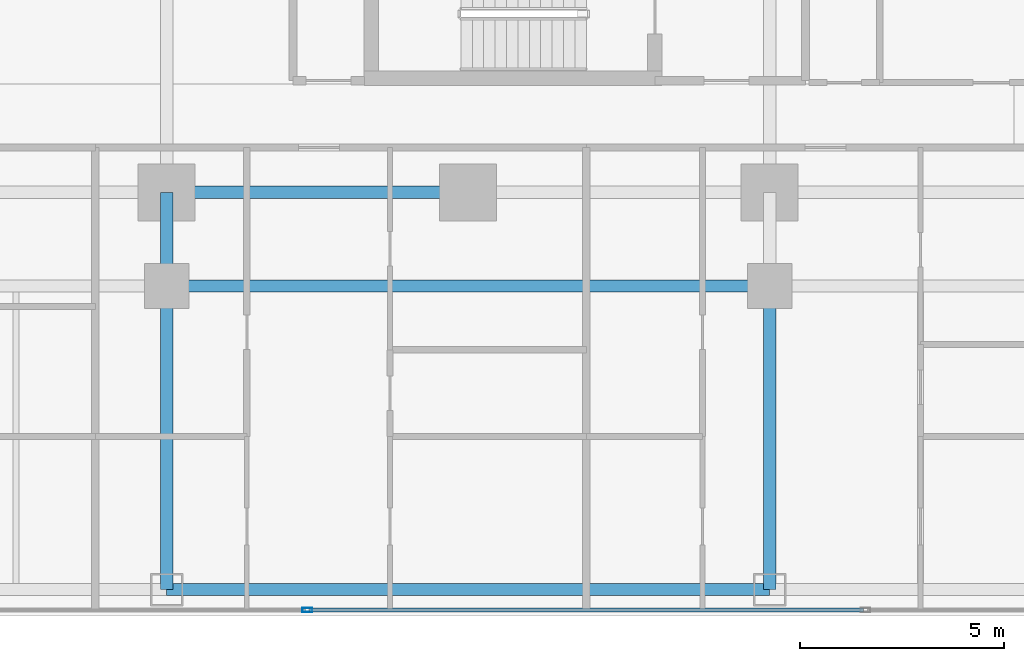
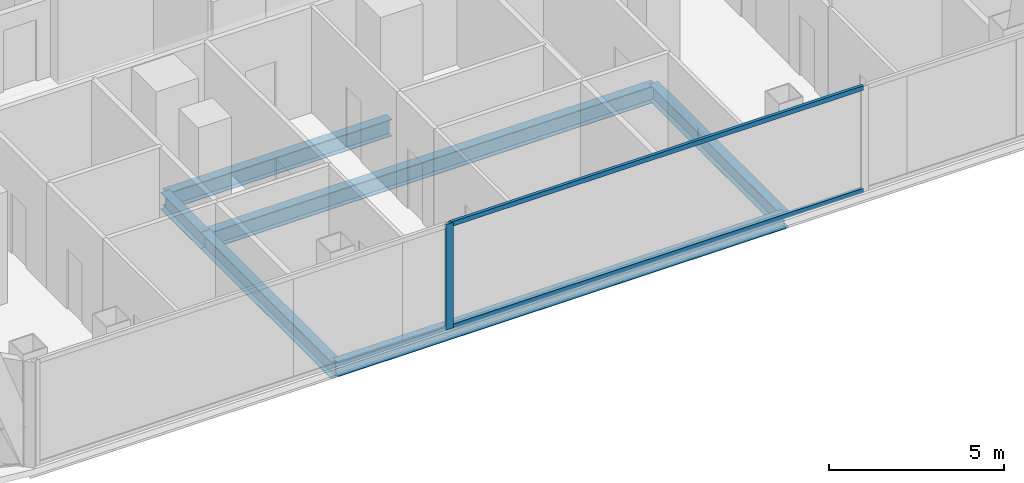
# One storey, part 5 of 33: 6 beams, 3 members, 1 element without a shape of its own.
"""IFC4 building model written with IfcOpenShell, lengths in metres."""

import ifcopenshell
import ifcopenshell.guid

model = None  # the IFC model being written
_history = None  # IfcOwnerHistory: only IFC2X3 demands one
_inside = {}  # id of a spatial element -> (the spatial element, [elements in it])
_under = {}  # id of a project, library or spatial element -> (it, [spatial elements below it])
_declared = {}  # id of a project -> (the project, [libraries it declares])
_typed = {}  # id of a type object -> (the type object, [elements of that type])
_made_of = {}  # id of a material, layer set ... -> (it, [elements and type objects made of it])


def new_model(schema):
    """Start an empty IFC model of exactly this schema.

    Asked for "IFC4X3", IfcOpenShell would pick the latest addendum, in which some entities
    have other attributes; the version numbers below select the first issue.
    IFC2X3 requires an IfcOwnerHistory on every rooted entity: one is made here for all.
    """
    global model, _history
    if schema == "IFC4X3":
        model = ifcopenshell.file(schema_version=(4, 3, 0, 0))
    else:
        model = ifcopenshell.file(schema=schema)
    _inside.clear()
    _under.clear()
    _declared.clear()
    _typed.clear()
    _made_of.clear()
    _history = None
    if model.schema == "IFC2X3":
        org = make("IfcOrganization", Name="unknown")
        user = make(
            "IfcPersonAndOrganization",
            ThePerson=make("IfcPerson", FamilyName="unknown"),
            TheOrganization=org,
        )
        app = make(
            "IfcApplication",
            ApplicationDeveloper=org,
            Version="unknown",
            ApplicationFullName="unknown",
            ApplicationIdentifier="unknown",
        )
        _history = make(
            "IfcOwnerHistory",
            OwningUser=user,
            OwningApplication=app,
            ChangeAction="ADDED",
            CreationDate=0,
        )
    return model


def make(cls, **values):
    """One entity of the class cls with the attributes given. An attribute that is None is left unset."""
    return model.create_entity(
        cls, **{name: value for name, value in values.items() if value is not None}
    )


def rooted(cls, **values):
    """An entity with a GlobalId (a new one), such as an element, a storey or a relation."""
    return make(cls, GlobalId=ifcopenshell.guid.new(), OwnerHistory=_history, **values)


def si_unit(unit_type, name, prefix=None):
    """IfcSIUnit, for example si_unit("LENGTHUNIT", "METRE", prefix="MILLI")."""
    return make("IfcSIUnit", UnitType=unit_type, Prefix=prefix, Name=name)


def assignment(units):
    """IfcUnitAssignment: the units of a project."""
    return None if units is None else make("IfcUnitAssignment", Units=units)


def point(xyz):
    """IfcCartesianPoint."""
    return None if xyz is None else make("IfcCartesianPoint", Coordinates=xyz)


def direction(xyz):
    """IfcDirection."""
    return None if xyz is None else make("IfcDirection", DirectionRatios=xyz)


def frame(location, z_axis=None, x_axis=None):
    """IfcAxis2Placement3D, a coordinate frame: its origin and axes. An axis left out is left unset."""
    return make(
        "IfcAxis2Placement3D",
        Location=point(location),
        Axis=direction(z_axis),
        RefDirection=direction(x_axis),
    )


def frame_2d(location, x_axis=None):
    """IfcAxis2Placement2D, a coordinate frame in the plane: its origin and x axis."""
    return make(
        "IfcAxis2Placement2D", Location=point(location), RefDirection=direction(x_axis)
    )


def origin():
    """The frame at (0, 0, 0) with its axes left unset."""
    return frame((0.0, 0.0, 0.0))


def origin_2d():
    """The frame at (0, 0) in the plane with its x axis left unset."""
    return frame_2d((0.0, 0.0))


def place(relative_to, where):
    """IfcLocalPlacement: puts the frame where relative to a parent placement (None: the world)."""
    return make(
        "IfcLocalPlacement", PlacementRelTo=relative_to, RelativePlacement=where
    )


def context(
    kind, dimensions, precision=None, world=None, true_north=None, identifier=None
):
    """IfcGeometricRepresentationContext, for example the 3D "Model" context."""
    return make(
        "IfcGeometricRepresentationContext",
        ContextIdentifier=identifier,
        ContextType=kind,
        CoordinateSpaceDimension=dimensions,
        Precision=precision,
        WorldCoordinateSystem=world,
        TrueNorth=true_north,
    )


def subcontext(parent, identifier, kind, view, scale=None):
    """IfcGeometricRepresentationSubContext, for example "Body" below "Model"."""
    return make(
        "IfcGeometricRepresentationSubContext",
        ContextIdentifier=identifier,
        ContextType=kind,
        ParentContext=parent,
        TargetScale=scale,
        TargetView=view,
    )


def project(units=None, contexts=None):
    """IfcProject with its units and contexts."""
    return rooted(
        "IfcProject",
        Name="project",
        RepresentationContexts=contexts,
        UnitsInContext=assignment(units),
    )


def spatial(cls, under=None, at=None, **own):
    """A site, building, storey or space (cls), placed at a placement, below another one or the project."""
    s = rooted(cls, ObjectPlacement=at, **own)
    if under is not None:
        _under.setdefault(under.id(), (under, []))[1].append(s)
    return s


def profile(cls, at=None, kind="AREA", **sizes):
    """A parametric profile (cls). Its sizes go by their IFC names, for example OverallWidth=200.0."""
    return make(cls, ProfileType=kind, Position=at, **sizes)


def hollow_rectangle(**sizes):
    """IfcRectangleHollowProfileDef."""
    return profile("IfcRectangleHollowProfileDef", **sizes)


def i_section(**sizes):
    """IfcIShapeProfileDef."""
    return profile("IfcIShapeProfileDef", **sizes)


def extrude(swept, where, along, depth):
    """IfcExtrudedAreaSolid: the profile swept, set in the frame where, extruded along a direction by depth."""
    return make(
        "IfcExtrudedAreaSolid",
        SweptArea=swept,
        Position=where,
        ExtrudedDirection=direction(along),
        Depth=depth,
    )


def shape(context_of_items, identifier, shape_type, items):
    """IfcShapeRepresentation: the items that make up one representation, for example the "Body"."""
    return make(
        "IfcShapeRepresentation",
        ContextOfItems=context_of_items,
        RepresentationIdentifier=identifier,
        RepresentationType=shape_type,
        Items=items,
    )


def material(Name=None, Category=None):
    """IfcMaterial."""
    return make("IfcMaterial", Name=Name, Category=Category)


def layer(
    of_material, thickness, ventilated=None, Name=None, Category=None, Priority=None
):
    """IfcMaterialLayer: one layer of a wall or slab, of a material (None: an air gap)."""
    return make(
        "IfcMaterialLayer",
        Material=of_material,
        LayerThickness=thickness,
        IsVentilated=ventilated,
        Name=Name,
        Category=Category,
        Priority=Priority,
    )


def layer_set(layers, Name=None):
    """IfcMaterialLayerSet."""
    return make("IfcMaterialLayerSet", MaterialLayers=layers, LayerSetName=Name)


def material_profile(
    of_material, cross_section, Name=None, Category=None, Priority=None
):
    """IfcMaterialProfile: a cross section and its material."""
    return make(
        "IfcMaterialProfile",
        Name=Name,
        Material=of_material,
        Profile=cross_section,
        Priority=Priority,
        Category=Category,
    )


def profile_set(profiles, Name=None, composite=None):
    """IfcMaterialProfileSet."""
    return make(
        "IfcMaterialProfileSet",
        Name=Name,
        MaterialProfiles=profiles,
        CompositeProfile=composite,
    )


def made_of(thing, what):
    """Note that an element or type object is made of a material, layer set ...; save() writes the relation."""
    if what is not None:
        _made_of.setdefault(what.id(), (what, []))[1].append(thing)
    return thing


def type_object(cls, material=None, **own):
    """A type object (cls), such as IfcWallType, which elements share."""
    return made_of(rooted(cls, **own), material)


def element(
    cls,
    number,
    at=None,
    inside=None,
    cuts=None,
    type_object=None,
    material=None,
    context=None,
    identifier="Body",
    shape_type=None,
    held_by="IfcProductDefinitionShape",
    body=None,
    shapes=None,
    **own,
):
    """One element of the class cls, such as IfcWall. Its Tag is "e" and its number.

    at: its placement. inside: the storey or other place that contains it. cuts: it is an
    opening in that element (IfcRelVoidsElement). A single representation is given by context,
    identifier, shape_type and body (its items); several are given by shapes. held_by: the class
    of the entity that holds the representations. save() writes the other relations.
    """
    e = rooted(cls, Tag="e%d" % number, ObjectPlacement=at, **own)
    if body is not None:
        shapes = [shape(context, identifier, shape_type, body)]
    if shapes is not None:
        e.Representation = make(held_by, Representations=shapes)
    if inside is not None:
        _inside.setdefault(inside.id(), (inside, []))[1].append(e)
    if cuts is not None:
        rooted(
            "IfcRelVoidsElement", RelatingBuildingElement=cuts, RelatedOpeningElement=e
        )
    if type_object is not None:
        _typed.setdefault(type_object.id(), (type_object, []))[1].append(e)
    return made_of(e, material)


def aggregate(whole, parts):
    """IfcRelAggregates: a whole, such as a stair, and the parts it consists of."""
    return rooted("IfcRelAggregates", RelatingObject=whole, RelatedObjects=parts)


def save(model, path):
    """Write the relations noted so far, then the file.

    IfcRelAggregates (storeys below a building ...), IfcRelContainedInSpatialStructure (elements
    in a storey), IfcRelDefinesByType, IfcRelAssociatesMaterial and IfcRelDeclares: one each for
    every whole, place, type object, material and project.
    """
    for whole, parts in _under.values():
        aggregate(whole, parts)
    for where, things in _inside.values():
        rooted(
            "IfcRelContainedInSpatialStructure",
            RelatedElements=things,
            RelatingStructure=where,
        )
    for kind, things in _typed.values():
        rooted("IfcRelDefinesByType", RelatedObjects=things, RelatingType=kind)
    for what, things in _made_of.values():
        rooted("IfcRelAssociatesMaterial", RelatedObjects=things, RelatingMaterial=what)
    for by, libraries in _declared.values():
        rooted("IfcRelDeclares", RelatingContext=by, RelatedDefinitions=libraries)
    model.write(path)


model = new_model("IFC4")

# Units and contexts
model_context = context("Model", 3, precision=1e-05, world=origin(), true_north=direction((0.0, 1.0)))
body_context = subcontext(model_context, "Body", "Model", "MODEL_VIEW")
ifc_project = project(units=[si_unit("LENGTHUNIT", "METRE"), si_unit("AREAUNIT", "SQUARE_METRE"), si_unit("VOLUMEUNIT", "CUBIC_METRE"), si_unit("PLANEANGLEUNIT", "RADIAN"), si_unit("MASSUNIT", "GRAM", prefix="KILO")], contexts=[model_context])

# Site, building, storey
site_placement = place(None, origin())
site = spatial("IfcSite", under=ifc_project, at=site_placement, CompositionType="ELEMENT")
building_placement = place(site_placement, origin())
building = spatial("IfcBuilding", under=site, at=building_placement, Name="Khorvyn Point Tower", CompositionType="ELEMENT")
storey_placement = place(building_placement, frame((0.0, 0.0, 38.39990234375)))
storey = spatial("IfcBuildingStorey", under=building, at=storey_placement, Name="L10", CompositionType="ELEMENT", Elevation=38.39990234375)

# Curtain wall, members
ifc_material_1 = material(Name="Anodised aluminium 6063-T6 and laminated Low-E glass", Category="aluminium")
ifc_layer = layer(ifc_material_1, 0.18994140625)
ifc_layer_set = layer_set([ifc_layer], Name="Stick-Built Finned Residential Curtain Wall CW-SYS-02")
curtain_wall_type = type_object("IfcCurtainWallType", Name="Stick-Built Finned Residential Curtain Wall CW-SYS-02", PredefinedType="NOTDEFINED", material=ifc_layer_set)
curtain_wall_placement = place(storey_placement, origin())
curtain_wall = element("IfcCurtainWall", 1, at=curtain_wall_placement, inside=storey, type_object=curtain_wall_type, Name="Curtain Wall", PredefinedType="NOTDEFINED")
ifc_material_2 = material(Name="Anodised aluminium 6063-T6", Category="aluminium")
ifc_material_profile_1 = material_profile(ifc_material_2, hollow_rectangle(XDim=0.10009765625, YDim=0.239990234375, WallThickness=0.0048828125, at=origin_2d()))
ifc_profile_set_1 = profile_set([ifc_material_profile_1], Name="Anodised aluminium 6063-T6 ALU-MUL-100x240")
member_type_1 = type_object("IfcMemberType", Name="Anodised Aluminium 6063-T6 Mullion ALU-MUL-100x240", PredefinedType="MULLION", material=ifc_profile_set_1)
member_1_placement = place(storey_placement, frame((-3.949951171875, -25.050048828125, 0.0), z_axis=(0.0, 0.0, 1.0), x_axis=(0.0, -1.0, 0.0)))
member_1 = element("IfcMember", 2, at=member_1_placement, type_object=member_type_1, Name="Transom", PredefinedType="MULLION", context=body_context, shape_type="SweptSolid", body=[
    extrude(hollow_rectangle(XDim=0.10009765625, YDim=0.239990234375, WallThickness=0.0048828125, at=origin_2d()), origin(), (0.0, 0.0, 1.0), 3.68017578125),
])
ifc_material_profile_2 = material_profile(ifc_material_2, hollow_rectangle(XDim=0.10009765625, YDim=0.159912109375, WallThickness=0.00439453125, at=origin_2d()))
ifc_profile_set_2 = profile_set([ifc_material_profile_2], Name="Anodised aluminium 6063-T6 ALU-TRN-100x160")
member_type_2 = type_object("IfcMemberType", Name="Anodised Aluminium 6063-T6 Transom ALU-TRN-100x160", PredefinedType="USERDEFINED", material=ifc_profile_set_2)
member_2_placement = place(storey_placement, frame((9.699951171875, -25.050048828125, 0.050048828125), z_axis=(-1.0, 0.0, 0.0), x_axis=(0.0, -1.0, 0.0)))
member_2 = element("IfcMember", 3, at=member_2_placement, type_object=member_type_2, Name="Transom", ObjectType="TRANSOM", PredefinedType="USERDEFINED", context=body_context, shape_type="SweptSolid", body=[
    extrude(hollow_rectangle(XDim=0.10009765625, YDim=0.159912109375, WallThickness=0.00439453125, at=origin_2d()), origin(), (0.0, 0.0, 1.0), 13.599853515625),
])
member_3_placement = place(storey_placement, frame((9.699951171875, -25.050048828125, 3.630126953125), z_axis=(-1.0, 0.0, 0.0), x_axis=(0.0, -1.0, 0.0)))
member_3 = element("IfcMember", 4, at=member_3_placement, type_object=member_type_2, Name="Transom", ObjectType="TRANSOM", PredefinedType="USERDEFINED", context=body_context, shape_type="SweptSolid", body=[
    extrude(hollow_rectangle(XDim=0.10009765625, YDim=0.159912109375, WallThickness=0.00439453125, at=origin_2d()), origin(), (0.0, 0.0, 1.0), 13.599853515625),
])
aggregate(curtain_wall, [member_1, member_2, member_3])

# Beams
ifc_material_3 = material(Name="Steel S355", Category="steel")
ifc_material_profile_3 = material_profile(ifc_material_3, i_section(OverallWidth=0.300048828125, OverallDepth=0.587890625, WebThickness=0.011962890625, FlangeThickness=0.02001953125, at=origin_2d()))
ifc_profile_set_3 = profile_set([ifc_material_profile_3], Name="Steel S355 H588x300x12x20")
beam_type_1 = type_object("IfcBeamType", Name="Steel S355 Beam H588x300x12x20", PredefinedType="BEAM", material=ifc_profile_set_3)
beam_1_placement = place(storey_placement, frame((-7.39990234375, -14.800048828125, -0.513916015625), z_axis=(1.0, 0.0, 0.0), x_axis=(0.0, 1.0, 0.0)))
element("IfcBeam", 5, at=beam_1_placement, inside=storey, type_object=beam_type_1, Name="Beam", PredefinedType="BEAM", context=body_context, shape_type="SweptSolid", body=[
    extrude(i_section(OverallWidth=0.300048828125, OverallDepth=0.587890625, WebThickness=0.011962890625, FlangeThickness=0.02001953125, at=origin_2d()), origin(), (0.0, 0.0, 1.0), 7.39990234375),
])
beam_2_placement = place(storey_placement, frame((-7.39990234375, -17.10009765625, -0.513916015625), z_axis=(1.0, 0.0, 0.0), x_axis=(0.0, 1.0, 0.0)))
element("IfcBeam", 6, at=beam_2_placement, inside=storey, type_object=beam_type_1, Name="Beam", PredefinedType="BEAM", context=body_context, shape_type="SweptSolid", body=[
    extrude(i_section(OverallWidth=0.300048828125, OverallDepth=0.587890625, WebThickness=0.011962890625, FlangeThickness=0.02001953125, at=origin_2d()), origin(), (0.0, 0.0, 1.0), 14.7998046875),
])
beam_3_placement = place(storey_placement, frame((-7.39990234375, -24.550048828125, -0.513916015625), z_axis=(0.0, 1.0, 0.0), x_axis=(-1.0, 0.0, 0.0)))
element("IfcBeam", 7, at=beam_3_placement, inside=storey, type_object=beam_type_1, Name="Beam", PredefinedType="BEAM", context=body_context, shape_type="SweptSolid", body=[
    extrude(i_section(OverallWidth=0.300048828125, OverallDepth=0.587890625, WebThickness=0.011962890625, FlangeThickness=0.02001953125, at=origin_2d()), origin(), (0.0, 0.0, 1.0), 7.449951171875),
])
beam_4_placement = place(storey_placement, frame((-7.39990234375, -17.10009765625, -0.513916015625), z_axis=(0.0, 1.0, 0.0), x_axis=(-1.0, 0.0, 0.0)))
element("IfcBeam", 8, at=beam_4_placement, inside=storey, type_object=beam_type_1, Name="Beam", PredefinedType="BEAM", context=body_context, shape_type="SweptSolid", body=[
    extrude(i_section(OverallWidth=0.300048828125, OverallDepth=0.587890625, WebThickness=0.011962890625, FlangeThickness=0.02001953125, at=origin_2d()), origin(), (0.0, 0.0, 1.0), 2.300048828125),
])
beam_5_placement = place(storey_placement, frame((7.39990234375, -24.550048828125, -0.513916015625), z_axis=(0.0, 1.0, 0.0), x_axis=(-1.0, 0.0, 0.0)))
element("IfcBeam", 9, at=beam_5_placement, inside=storey, type_object=beam_type_1, Name="Beam", PredefinedType="BEAM", context=body_context, shape_type="SweptSolid", body=[
    extrude(i_section(OverallWidth=0.300048828125, OverallDepth=0.587890625, WebThickness=0.011962890625, FlangeThickness=0.02001953125, at=origin_2d()), origin(), (0.0, 0.0, 1.0), 7.449951171875),
])
ifc_material_profile_4 = material_profile(ifc_material_3, i_section(OverallWidth=0.300048828125, OverallDepth=0.488037109375, WebThickness=0.010986328125, FlangeThickness=0.01806640625, at=origin_2d()))
ifc_profile_set_4 = profile_set([ifc_material_profile_4], Name="Steel S355 H488x300x11x18")
beam_type_2 = type_object("IfcBeamType", Name="Steel S355 Spandrel H488x300x11x18", PredefinedType="SPANDREL", material=ifc_profile_set_4)
beam_6_placement = place(storey_placement, frame((-7.39990234375, -24.550048828125, -0.4638671875), z_axis=(1.0, 0.0, 0.0), x_axis=(0.0, 1.0, 0.0)))
element("IfcBeam", 10, at=beam_6_placement, inside=storey, type_object=beam_type_2, Name="Beam", PredefinedType="SPANDREL", context=body_context, shape_type="SweptSolid", body=[
    extrude(i_section(OverallWidth=0.300048828125, OverallDepth=0.488037109375, WebThickness=0.010986328125, FlangeThickness=0.01806640625, at=origin_2d()), origin(), (0.0, 0.0, 1.0), 14.7998046875),
])

save(model, "model.ifc")
